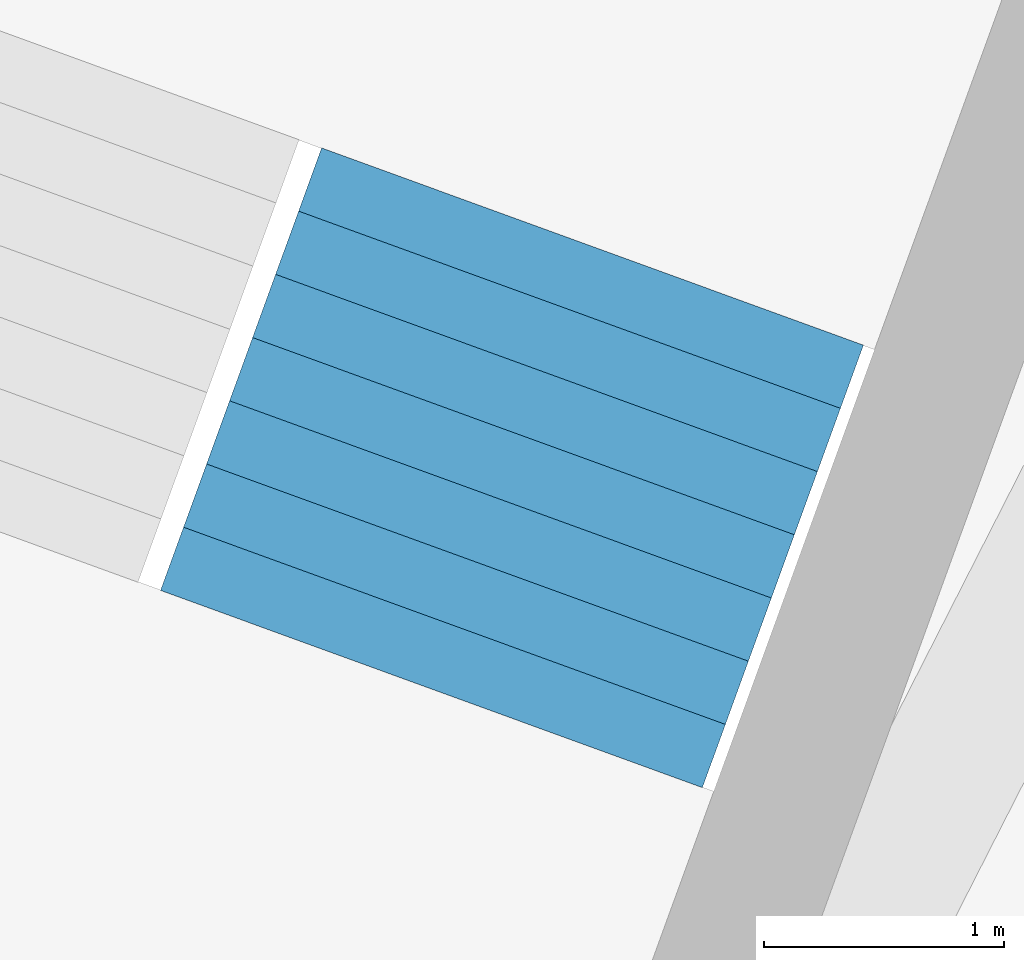
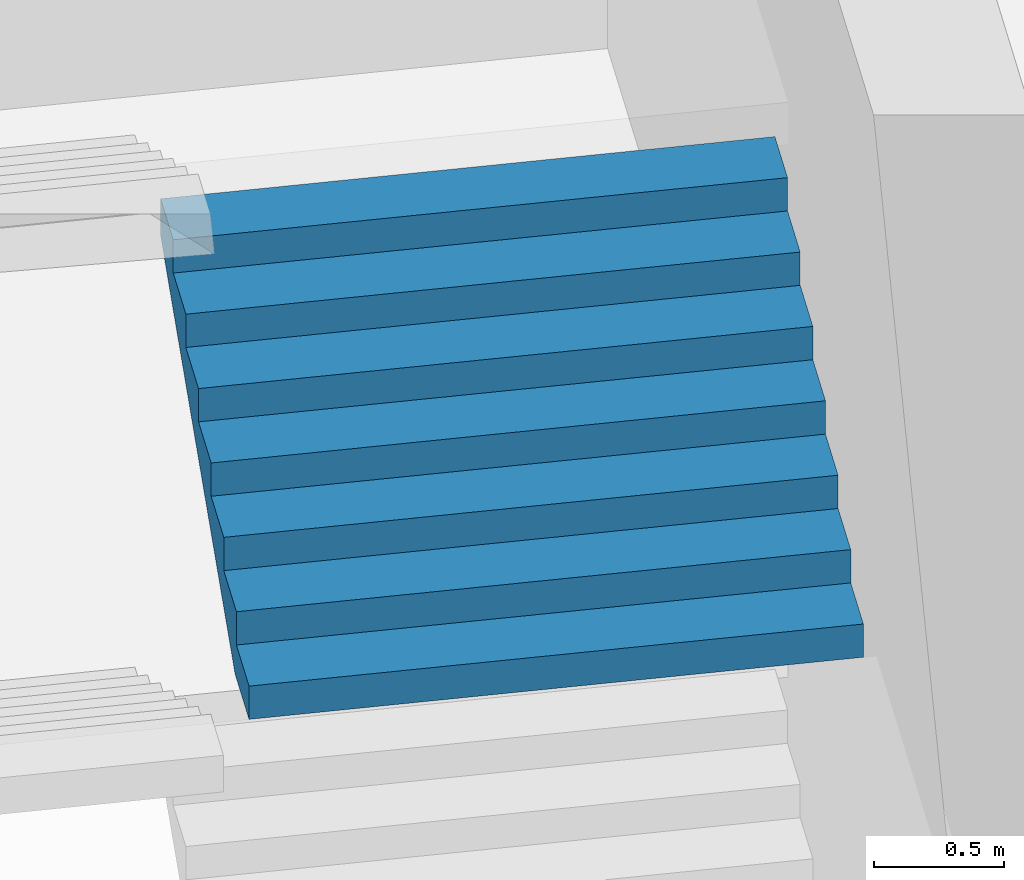
# One storey, part 48 of 73: 1 stair flight, 1 element without a shape of its own.
"""IFC4 building model written with IfcOpenShell, lengths in metres."""

from ifc_helpers import new_model, si_unit, direction, frame, origin, place, context, subcontext, project, spatial, triangles, material, type_object, element, aggregate, save


model = new_model("IFC4")

# Units and contexts
model_context = context("Model", 3, precision=1e-05, world=origin(), true_north=direction((0.0, 1.0)))
body_context = subcontext(model_context, "Body", "Model", "MODEL_VIEW")
ifc_project = project(units=[si_unit("LENGTHUNIT", "METRE"), si_unit("AREAUNIT", "SQUARE_METRE"), si_unit("VOLUMEUNIT", "CUBIC_METRE"), si_unit("PLANEANGLEUNIT", "RADIAN"), si_unit("MASSUNIT", "GRAM", prefix="KILO")], contexts=[model_context])

# Site, building, storey
site_placement = place(None, origin())
site = spatial("IfcSite", under=ifc_project, at=site_placement, CompositionType="ELEMENT")
building_placement = place(site_placement, origin())
building = spatial("IfcBuilding", under=site, at=building_placement, Name="Lantaw Convention Tower", CompositionType="ELEMENT")
storey_placement = place(building_placement, frame((0.0, 0.0, 22.0)))
storey = spatial("IfcBuildingStorey", under=building, at=storey_placement, Name="L03", CompositionType="ELEMENT", Elevation=22.0)

# Stair, stair flight
ifc_material = material(Name="Concrete C35/45", Category="concrete")
stair_type = type_object("IfcStairType", Name="Exit stair 2400 riser 156.25 in 4 flights", PredefinedType="HALF_TURN_STAIR", material=ifc_material)
stair_placement = place(storey_placement, origin())
stair = element("IfcStair", 1, at=stair_placement, inside=storey, type_object=stair_type, Name="Podium exit stair P5 L03", PredefinedType="HALF_TURN_STAIR")
stair_flight_type = type_object("IfcStairFlightType", Name="Stair flight 2400 riser 156.25", PredefinedType="STRAIGHT", material=ifc_material)
stair_flight_placement = place(storey_placement, frame((10.476318359375, 25.128662109375, 2.5), z_axis=(0.0, 0.0, 1.0), x_axis=(0.342020143326, 0.939692620786, 0.0)))
stair_flight = element("IfcStairFlight", 2, at=stair_flight_placement, type_object=stair_flight_type, Name="P5 flight 3", NumberOfRisers=8, NumberOfTreads=7, PredefinedType="STRAIGHT", RiserHeight=0.15625, TreadLength=0.28, context=body_context, shape_type="Tessellation", body=[
    triangles([(0.0, 1.199951171875, 0.0), (0.0, 1.199951171875, 0.15625), (0.28, 1.199951171875, 0.0), (0.28, 1.199951171875, 0.15625), (0.28, 1.199951171875, 0.3125), (0.3076200632058044, 1.199951171875, 0.0), (0.3076200632058044, 1.199951171875, 0.3125), (0.56, 1.199951171875, 0.14083701830033238), (0.56, 1.199951171875, 0.3125), (0.56, 1.199951171875, 0.46875), (0.8400000000000001, 1.199951171875, 0.29708701830033235), (0.8400000000000001, 1.199951171875, 0.46875), (0.8400000000000001, 1.199951171875, 0.625), (1.12, 1.199951171875, 0.45333701830033235), (1.12, 1.199951171875, 0.625), (1.12, 1.199951171875, 0.78125), (1.4000000000000001, 1.199951171875, 0.6095870183003324), (1.4000000000000001, 1.199951171875, 0.78125), (1.4000000000000001, 1.199951171875, 0.9375), (1.6800000000000002, 1.199951171875, 0.7658370183003324), (1.6800000000000002, 1.199951171875, 0.9375), (1.6800000000000002, 1.199951171875, 1.09375), (1.9600000000000002, 1.199951171875, 0.9220870183003324), (1.9600000000000002, 1.199951171875, 1.09375), (0.0, -1.199951171875, 0.0), (0.0, -1.199951171875, 0.15625), (0.28, -1.199951171875, 0.0), (0.28, -1.199951171875, 0.15625), (0.28, -1.199951171875, 0.3125), (0.3076200632058044, -1.199951171875, 0.0), (0.3076200632058044, -1.199951171875, 0.3125), (0.56, -1.199951171875, 0.14083701830033238), (0.56, -1.199951171875, 0.3125), (0.56, -1.199951171875, 0.46875), (0.8400000000000001, -1.199951171875, 0.29708701830033235), (0.8400000000000001, -1.199951171875, 0.46875), (0.8400000000000001, -1.199951171875, 0.625), (1.12, -1.199951171875, 0.45333701830033235), (1.12, -1.199951171875, 0.625), (1.12, -1.199951171875, 0.78125), (1.4000000000000001, -1.199951171875, 0.6095870183003324), (1.4000000000000001, -1.199951171875, 0.78125), (1.4000000000000001, -1.199951171875, 0.9375), (1.6800000000000002, -1.199951171875, 0.7658370183003324), (1.6800000000000002, -1.199951171875, 0.9375), (1.6800000000000002, -1.199951171875, 1.09375), (1.9600000000000002, -1.199951171875, 0.9220870183003324), (1.9600000000000002, -1.199951171875, 1.09375), (0.0, 0.239990234375, 0.15625), (0.0, 0.239990234375, 0.0), (0.0, 0.1919921875, 0.15625), (0.0, 0.1919921875, 0.0), (0.0, 0.143994140625, 0.15625), (0.0, 0.143994140625, 0.0), (0.0, 0.09599609375, 0.15625), (0.0, 0.09599609375, 0.0), (0.0, 0.047998046875, 0.15625), (0.0, 0.047998046875, 0.0), (0.0, 0.0, 0.15625), (0.0, 0.0, 0.0), (0.0, -0.047998046875, 0.15625), (0.0, -0.047998046875, 0.0), (0.0, -0.09599609375, 0.15625), (0.0, -0.09599609375, 0.0), (0.0, -0.143994140625, 0.15625), (0.0, -0.143994140625, 0.0), (0.0, -0.1919921875, 0.15625), (0.0, -0.1919921875, 0.0), (0.0, -0.239990234375, 0.15625), (0.0, -0.239990234375, 0.0), (0.28, 0.239990234375, 0.3125), (0.28, 0.239990234375, 0.15625), (0.28, 0.1919921875, 0.3125), (0.28, 0.1919921875, 0.15625), (0.28, 0.143994140625, 0.3125), (0.28, 0.143994140625, 0.15625), (0.28, 0.09599609375, 0.3125), (0.28, 0.09599609375, 0.15625), (0.28, 0.047998046875, 0.3125), (0.28, 0.047998046875, 0.15625), (0.28, 0.0, 0.3125), (0.28, 0.0, 0.15625), (0.28, -0.047998046875, 0.3125), (0.28, -0.047998046875, 0.15625), (0.28, -0.09599609375, 0.3125), (0.28, -0.09599609375, 0.15625), (0.28, -0.143994140625, 0.3125), (0.28, -0.143994140625, 0.15625), (0.28, -0.1919921875, 0.3125), (0.28, -0.1919921875, 0.15625), (0.28, -0.239990234375, 0.3125), (0.28, -0.239990234375, 0.15625), (0.56, 0.239990234375, 0.46875), (0.56, 0.239990234375, 0.3125), (0.56, 0.1919921875, 0.46875), (0.56, 0.1919921875, 0.3125), (0.56, 0.143994140625, 0.46875), (0.56, 0.143994140625, 0.3125), (0.56, 0.09599609375, 0.46875), (0.56, 0.09599609375, 0.3125), (0.56, 0.047998046875, 0.46875), (0.56, 0.047998046875, 0.3125), (0.56, 0.0, 0.46875), (0.56, 0.0, 0.3125), (0.56, -0.047998046875, 0.46875), (0.56, -0.047998046875, 0.3125), (0.56, -0.09599609375, 0.46875), (0.56, -0.09599609375, 0.3125), (0.56, -0.143994140625, 0.46875), (0.56, -0.143994140625, 0.3125), (0.56, -0.1919921875, 0.46875), (0.56, -0.1919921875, 0.3125), (0.56, -0.239990234375, 0.46875), (0.56, -0.239990234375, 0.3125), (0.8400000000000001, 0.239990234375, 0.625), (0.8400000000000001, 0.239990234375, 0.46875), (0.8400000000000001, 0.1919921875, 0.625), (0.8400000000000001, 0.1919921875, 0.46875), (0.8400000000000001, 0.143994140625, 0.625), (0.8400000000000001, 0.143994140625, 0.46875), (0.8400000000000001, 0.09599609375, 0.625), (0.8400000000000001, 0.09599609375, 0.46875), (0.8400000000000001, 0.047998046875, 0.625), (0.8400000000000001, 0.047998046875, 0.46875), (0.8400000000000001, 0.0, 0.625), (0.8400000000000001, 0.0, 0.46875), (0.8400000000000001, -0.047998046875, 0.625), (0.8400000000000001, -0.047998046875, 0.46875), (0.8400000000000001, -0.09599609375, 0.625), (0.8400000000000001, -0.09599609375, 0.46875), (0.8400000000000001, -0.143994140625, 0.625), (0.8400000000000001, -0.143994140625, 0.46875), (0.8400000000000001, -0.1919921875, 0.625), (0.8400000000000001, -0.1919921875, 0.46875), (0.8400000000000001, -0.239990234375, 0.625), (0.8400000000000001, -0.239990234375, 0.46875), (1.12, 0.239990234375, 0.78125), (1.12, 0.239990234375, 0.625), (1.12, 0.1919921875, 0.78125), (1.12, 0.1919921875, 0.625), (1.12, 0.143994140625, 0.78125), (1.12, 0.143994140625, 0.625), (1.12, 0.09599609375, 0.78125), (1.12, 0.09599609375, 0.625), (1.12, 0.047998046875, 0.78125), (1.12, 0.047998046875, 0.625), (1.12, 0.0, 0.78125), (1.12, 0.0, 0.625), (1.12, -0.047998046875, 0.78125), (1.12, -0.047998046875, 0.625), (1.12, -0.09599609375, 0.78125), (1.12, -0.09599609375, 0.625), (1.12, -0.143994140625, 0.78125), (1.12, -0.143994140625, 0.625), (1.12, -0.1919921875, 0.78125), (1.12, -0.1919921875, 0.625), (1.12, -0.239990234375, 0.78125), (1.12, -0.239990234375, 0.625), (1.4000000000000001, 0.239990234375, 0.9375), (1.4000000000000001, 0.239990234375, 0.78125), (1.4000000000000001, 0.1919921875, 0.9375), (1.4000000000000001, 0.1919921875, 0.78125), (1.4000000000000001, 0.143994140625, 0.9375), (1.4000000000000001, 0.143994140625, 0.78125), (1.4000000000000001, 0.09599609375, 0.9375), (1.4000000000000001, 0.09599609375, 0.78125), (1.4000000000000001, 0.047998046875, 0.9375), (1.4000000000000001, 0.047998046875, 0.78125), (1.4000000000000001, 0.0, 0.9375), (1.4000000000000001, 0.0, 0.78125), (1.4000000000000001, -0.047998046875, 0.9375), (1.4000000000000001, -0.047998046875, 0.78125), (1.4000000000000001, -0.09599609375, 0.9375), (1.4000000000000001, -0.09599609375, 0.78125), (1.4000000000000001, -0.143994140625, 0.9375), (1.4000000000000001, -0.143994140625, 0.78125), (1.4000000000000001, -0.1919921875, 0.9375), (1.4000000000000001, -0.1919921875, 0.78125), (1.4000000000000001, -0.239990234375, 0.9375), (1.4000000000000001, -0.239990234375, 0.78125), (1.6800000000000002, 0.239990234375, 1.09375), (1.6800000000000002, 0.239990234375, 0.9375), (1.6800000000000002, 0.1919921875, 1.09375), (1.6800000000000002, 0.1919921875, 0.9375), (1.6800000000000002, 0.143994140625, 1.09375), (1.6800000000000002, 0.143994140625, 0.9375), (1.6800000000000002, 0.09599609375, 1.09375), (1.6800000000000002, 0.09599609375, 0.9375), (1.6800000000000002, 0.047998046875, 1.09375), (1.6800000000000002, 0.047998046875, 0.9375), (1.6800000000000002, 0.0, 1.09375), (1.6800000000000002, 0.0, 0.9375), (1.6800000000000002, -0.047998046875, 1.09375), (1.6800000000000002, -0.047998046875, 0.9375), (1.6800000000000002, -0.09599609375, 1.09375), (1.6800000000000002, -0.09599609375, 0.9375), (1.6800000000000002, -0.143994140625, 1.09375), (1.6800000000000002, -0.143994140625, 0.9375), (1.6800000000000002, -0.1919921875, 1.09375), (1.6800000000000002, -0.1919921875, 0.9375), (1.6800000000000002, -0.239990234375, 1.09375), (1.6800000000000002, -0.239990234375, 0.9375), (0.3076200632058044, 0.239990234375, 0.3125), (0.3076200632058044, 0.1919921875, 0.3125), (0.3076200632058044, 0.143994140625, 0.3125), (0.3076200632058044, 0.09599609375, 0.3125), (0.3076200632058044, 0.047998046875, 0.3125), (0.3076200632058044, 0.0, 0.3125), (0.3076200632058044, -0.047998046875, 0.3125), (0.3076200632058044, -0.09599609375, 0.3125), (0.3076200632058044, -0.143994140625, 0.3125), (0.3076200632058044, -0.1919921875, 0.3125), (0.3076200632058044, -0.239990234375, 0.3125), (1.9600000000000002, 0.239990234375, 1.09375), (1.9600000000000002, 0.1919921875, 1.09375), (1.9600000000000002, 0.143994140625, 1.09375), (1.9600000000000002, 0.09599609375, 1.09375), (1.9600000000000002, 0.047998046875, 1.09375), (1.9600000000000002, 0.0, 1.09375), (1.9600000000000002, -0.047998046875, 1.09375), (1.9600000000000002, -0.09599609375, 1.09375), (1.9600000000000002, -0.143994140625, 1.09375), (1.9600000000000002, -0.1919921875, 1.09375), (1.9600000000000002, -0.239990234375, 1.09375), (1.9600000000000002, 0.239990234375, 0.9220870183003324), (1.9600000000000002, 0.1919921875, 0.9220870183003324), (1.9600000000000002, 0.143994140625, 0.9220870183003324), (1.9600000000000002, 0.09599609375, 0.9220870183003324), (1.9600000000000002, 0.047998046875, 0.9220870183003324), (1.9600000000000002, 0.0, 0.9220870183003324), (1.9600000000000002, -0.047998046875, 0.9220870183003324), (1.9600000000000002, -0.09599609375, 0.9220870183003324), (1.9600000000000002, -0.143994140625, 0.9220870183003324), (1.9600000000000002, -0.1919921875, 0.9220870183003324), (1.9600000000000002, -0.239990234375, 0.9220870183003324), (1.6800000000000002, 0.239990234375, 0.7658370183003324), (1.6800000000000002, 0.1919921875, 0.7658370183003324), (1.6800000000000002, 0.143994140625, 0.7658370183003324), (1.6800000000000002, 0.09599609375, 0.7658370183003324), (1.6800000000000002, 0.047998046875, 0.7658370183003324), (1.6800000000000002, 0.0, 0.7658370183003324), (1.6800000000000002, -0.047998046875, 0.7658370183003324), (1.6800000000000002, -0.09599609375, 0.7658370183003324), (1.6800000000000002, -0.143994140625, 0.7658370183003324), (1.6800000000000002, -0.1919921875, 0.7658370183003324), (1.6800000000000002, -0.239990234375, 0.7658370183003324), (1.4000000000000001, 0.239990234375, 0.6095870183003324), (1.4000000000000001, 0.1919921875, 0.6095870183003324), (1.4000000000000001, 0.143994140625, 0.6095870183003324), (1.4000000000000001, 0.09599609375, 0.6095870183003324), (1.4000000000000001, 0.047998046875, 0.6095870183003324), (1.4000000000000001, 0.0, 0.6095870183003324), (1.4000000000000001, -0.047998046875, 0.6095870183003324), (1.4000000000000001, -0.09599609375, 0.6095870183003324), (1.4000000000000001, -0.143994140625, 0.6095870183003324), (1.4000000000000001, -0.1919921875, 0.6095870183003324), (1.4000000000000001, -0.239990234375, 0.6095870183003324), (1.12, 0.239990234375, 0.45333701830033235), (1.12, 0.1919921875, 0.45333701830033235), (1.12, 0.143994140625, 0.45333701830033235), (1.12, 0.09599609375, 0.45333701830033235), (1.12, 0.047998046875, 0.45333701830033235), (1.12, 0.0, 0.45333701830033235), (1.12, -0.047998046875, 0.45333701830033235), (1.12, -0.09599609375, 0.45333701830033235), (1.12, -0.143994140625, 0.45333701830033235), (1.12, -0.1919921875, 0.45333701830033235), (1.12, -0.239990234375, 0.45333701830033235), (0.8400000000000001, 0.239990234375, 0.29708701830033235), (0.8400000000000001, 0.1919921875, 0.29708701830033235), (0.8400000000000001, 0.143994140625, 0.29708701830033235), (0.8400000000000001, 0.09599609375, 0.29708701830033235), (0.8400000000000001, 0.047998046875, 0.29708701830033235), (0.8400000000000001, 0.0, 0.29708701830033235), (0.8400000000000001, -0.047998046875, 0.29708701830033235), (0.8400000000000001, -0.09599609375, 0.29708701830033235), (0.8400000000000001, -0.143994140625, 0.29708701830033235), (0.8400000000000001, -0.1919921875, 0.29708701830033235), (0.8400000000000001, -0.239990234375, 0.29708701830033235), (0.56, 0.239990234375, 0.14083701830033238), (0.56, 0.1919921875, 0.14083701830033238), (0.56, 0.143994140625, 0.14083701830033238), (0.56, 0.09599609375, 0.14083701830033238), (0.56, 0.047998046875, 0.14083701830033238), (0.56, 0.0, 0.14083701830033238), (0.56, -0.047998046875, 0.14083701830033238), (0.56, -0.09599609375, 0.14083701830033238), (0.56, -0.143994140625, 0.14083701830033238), (0.56, -0.1919921875, 0.14083701830033238), (0.56, -0.239990234375, 0.14083701830033238), (0.3076200632058044, 0.239990234375, 0.0), (0.3076200632058044, 0.1919921875, 0.0), (0.3076200632058044, 0.143994140625, 0.0), (0.3076200632058044, 0.09599609375, 0.0), (0.3076200632058044, 0.047998046875, 0.0), (0.3076200632058044, 0.0, 0.0), (0.3076200632058044, -0.047998046875, 0.0), (0.3076200632058044, -0.09599609375, 0.0), (0.3076200632058044, -0.143994140625, 0.0), (0.3076200632058044, -0.1919921875, 0.0), (0.3076200632058044, -0.239990234375, 0.0), (0.28, 0.239990234375, 0.0), (0.28, 0.1919921875, 0.0), (0.28, 0.143994140625, 0.0), (0.28, 0.09599609375, 0.0), (0.28, 0.047998046875, 0.0), (0.28, 0.0, 0.0), (0.28, -0.047998046875, 0.0), (0.28, -0.09599609375, 0.0), (0.28, -0.143994140625, 0.0), (0.28, -0.1919921875, 0.0), (0.28, -0.239990234375, 0.0)], [[1, 4, 3], [1, 2, 4], [3, 4, 6], [4, 7, 6], [4, 5, 7], [6, 9, 8], [6, 7, 9], [8, 9, 11], [9, 12, 11], [9, 10, 12], [11, 12, 14], [12, 15, 14], [12, 13, 15], [14, 15, 17], [15, 18, 17], [15, 16, 18], [17, 18, 20], [18, 21, 20], [18, 19, 21], [20, 21, 23], [21, 24, 23], [21, 22, 24], [25, 27, 28], [25, 28, 26], [27, 30, 28], [28, 30, 31], [28, 31, 29], [30, 32, 33], [30, 33, 31], [32, 35, 33], [33, 35, 36], [33, 36, 34], [35, 38, 36], [36, 38, 39], [36, 39, 37], [38, 41, 39], [39, 41, 42], [39, 42, 40], [41, 44, 42], [42, 44, 45], [42, 45, 43], [44, 47, 45], [45, 47, 48], [45, 48, 46], [1, 49, 2], [1, 50, 49], [50, 51, 49], [50, 52, 51], [52, 53, 51], [52, 54, 53], [54, 55, 53], [54, 56, 55], [56, 57, 55], [56, 58, 57], [58, 59, 57], [58, 60, 59], [60, 61, 59], [60, 62, 61], [62, 63, 61], [62, 64, 63], [64, 65, 63], [64, 66, 65], [66, 67, 65], [66, 68, 67], [68, 69, 67], [68, 70, 69], [70, 26, 69], [70, 25, 26], [4, 71, 5], [4, 72, 71], [72, 73, 71], [72, 74, 73], [74, 75, 73], [74, 76, 75], [76, 77, 75], [76, 78, 77], [78, 79, 77], [78, 80, 79], [80, 81, 79], [80, 82, 81], [82, 83, 81], [82, 84, 83], [84, 85, 83], [84, 86, 85], [86, 87, 85], [86, 88, 87], [88, 89, 87], [88, 90, 89], [90, 91, 89], [90, 92, 91], [92, 29, 91], [92, 28, 29], [9, 93, 10], [9, 94, 93], [94, 95, 93], [94, 96, 95], [96, 97, 95], [96, 98, 97], [98, 99, 97], [98, 100, 99], [100, 101, 99], [100, 102, 101], [102, 103, 101], [102, 104, 103], [104, 105, 103], [104, 106, 105], [106, 107, 105], [106, 108, 107], [108, 109, 107], [108, 110, 109], [110, 111, 109], [110, 112, 111], [112, 113, 111], [112, 114, 113], [114, 34, 113], [114, 33, 34], [12, 115, 13], [12, 116, 115], [116, 117, 115], [116, 118, 117], [118, 119, 117], [118, 120, 119], [120, 121, 119], [120, 122, 121], [122, 123, 121], [122, 124, 123], [124, 125, 123], [124, 126, 125], [126, 127, 125], [126, 128, 127], [128, 129, 127], [128, 130, 129], [130, 131, 129], [130, 132, 131], [132, 133, 131], [132, 134, 133], [134, 135, 133], [134, 136, 135], [136, 37, 135], [136, 36, 37], [15, 137, 16], [15, 138, 137], [138, 139, 137], [138, 140, 139], [140, 141, 139], [140, 142, 141], [142, 143, 141], [142, 144, 143], [144, 145, 143], [144, 146, 145], [146, 147, 145], [146, 148, 147], [148, 149, 147], [148, 150, 149], [150, 151, 149], [150, 152, 151], [152, 153, 151], [152, 154, 153], [154, 155, 153], [154, 156, 155], [156, 157, 155], [156, 158, 157], [158, 40, 157], [158, 39, 40], [18, 159, 19], [18, 160, 159], [160, 161, 159], [160, 162, 161], [162, 163, 161], [162, 164, 163], [164, 165, 163], [164, 166, 165], [166, 167, 165], [166, 168, 167], [168, 169, 167], [168, 170, 169], [170, 171, 169], [170, 172, 171], [172, 173, 171], [172, 174, 173], [174, 175, 173], [174, 176, 175], [176, 177, 175], [176, 178, 177], [178, 179, 177], [178, 180, 179], [180, 43, 179], [180, 42, 43], [21, 181, 22], [21, 182, 181], [182, 183, 181], [182, 184, 183], [184, 185, 183], [184, 186, 185], [186, 187, 185], [186, 188, 187], [188, 189, 187], [188, 190, 189], [190, 191, 189], [190, 192, 191], [192, 193, 191], [192, 194, 193], [194, 195, 193], [194, 196, 195], [196, 197, 195], [196, 198, 197], [198, 199, 197], [198, 200, 199], [200, 201, 199], [200, 202, 201], [202, 46, 201], [202, 45, 46], [2, 72, 4], [2, 49, 72], [49, 74, 72], [49, 51, 74], [51, 76, 74], [51, 53, 76], [53, 78, 76], [53, 55, 78], [55, 80, 78], [55, 57, 80], [57, 82, 80], [57, 59, 82], [59, 84, 82], [59, 61, 84], [61, 86, 84], [61, 63, 86], [63, 88, 86], [63, 65, 88], [65, 90, 88], [65, 67, 90], [67, 92, 90], [67, 69, 92], [69, 28, 92], [69, 26, 28], [5, 203, 7], [5, 71, 203], [71, 204, 203], [71, 73, 204], [73, 205, 204], [73, 75, 205], [75, 206, 205], [75, 77, 206], [77, 207, 206], [77, 79, 207], [79, 208, 207], [79, 81, 208], [81, 209, 208], [81, 83, 209], [83, 210, 209], [83, 85, 210], [85, 211, 210], [85, 87, 211], [87, 212, 211], [87, 89, 212], [89, 213, 212], [89, 91, 213], [91, 31, 213], [91, 29, 31], [7, 94, 9], [7, 203, 94], [203, 96, 94], [203, 204, 96], [204, 98, 96], [204, 205, 98], [205, 100, 98], [205, 206, 100], [206, 102, 100], [206, 207, 102], [207, 104, 102], [207, 208, 104], [208, 106, 104], [208, 209, 106], [209, 108, 106], [209, 210, 108], [210, 110, 108], [210, 211, 110], [211, 112, 110], [211, 212, 112], [212, 114, 112], [212, 213, 114], [213, 33, 114], [213, 31, 33], [10, 116, 12], [10, 93, 116], [93, 118, 116], [93, 95, 118], [95, 120, 118], [95, 97, 120], [97, 122, 120], [97, 99, 122], [99, 124, 122], [99, 101, 124], [101, 126, 124], [101, 103, 126], [103, 128, 126], [103, 105, 128], [105, 130, 128], [105, 107, 130], [107, 132, 130], [107, 109, 132], [109, 134, 132], [109, 111, 134], [111, 136, 134], [111, 113, 136], [113, 36, 136], [113, 34, 36], [13, 138, 15], [13, 115, 138], [115, 140, 138], [115, 117, 140], [117, 142, 140], [117, 119, 142], [119, 144, 142], [119, 121, 144], [121, 146, 144], [121, 123, 146], [123, 148, 146], [123, 125, 148], [125, 150, 148], [125, 127, 150], [127, 152, 150], [127, 129, 152], [129, 154, 152], [129, 131, 154], [131, 156, 154], [131, 133, 156], [133, 158, 156], [133, 135, 158], [135, 39, 158], [135, 37, 39], [16, 160, 18], [16, 137, 160], [137, 162, 160], [137, 139, 162], [139, 164, 162], [139, 141, 164], [141, 166, 164], [141, 143, 166], [143, 168, 166], [143, 145, 168], [145, 170, 168], [145, 147, 170], [147, 172, 170], [147, 149, 172], [149, 174, 172], [149, 151, 174], [151, 176, 174], [151, 153, 176], [153, 178, 176], [153, 155, 178], [155, 180, 178], [155, 157, 180], [157, 42, 180], [157, 40, 42], [19, 182, 21], [19, 159, 182], [159, 184, 182], [159, 161, 184], [161, 186, 184], [161, 163, 186], [163, 188, 186], [163, 165, 188], [165, 190, 188], [165, 167, 190], [167, 192, 190], [167, 169, 192], [169, 194, 192], [169, 171, 194], [171, 196, 194], [171, 173, 196], [173, 198, 196], [173, 175, 198], [175, 200, 198], [175, 177, 200], [177, 202, 200], [177, 179, 202], [179, 45, 202], [179, 43, 45], [22, 214, 24], [22, 181, 214], [181, 215, 214], [181, 183, 215], [183, 216, 215], [183, 185, 216], [185, 217, 216], [185, 187, 217], [187, 218, 217], [187, 189, 218], [189, 219, 218], [189, 191, 219], [191, 220, 219], [191, 193, 220], [193, 221, 220], [193, 195, 221], [195, 222, 221], [195, 197, 222], [197, 223, 222], [197, 199, 223], [199, 224, 223], [199, 201, 224], [201, 48, 224], [201, 46, 48], [24, 225, 23], [24, 214, 225], [214, 226, 225], [214, 215, 226], [215, 227, 226], [215, 216, 227], [216, 228, 227], [216, 217, 228], [217, 229, 228], [217, 218, 229], [218, 230, 229], [218, 219, 230], [219, 231, 230], [219, 220, 231], [220, 232, 231], [220, 221, 232], [221, 233, 232], [221, 222, 233], [222, 234, 233], [222, 223, 234], [223, 235, 234], [223, 224, 235], [224, 47, 235], [224, 48, 47], [23, 236, 20], [23, 225, 236], [225, 237, 236], [225, 226, 237], [226, 238, 237], [226, 227, 238], [227, 239, 238], [227, 228, 239], [228, 240, 239], [228, 229, 240], [229, 241, 240], [229, 230, 241], [230, 242, 241], [230, 231, 242], [231, 243, 242], [231, 232, 243], [232, 244, 243], [232, 233, 244], [233, 245, 244], [233, 234, 245], [234, 246, 245], [234, 235, 246], [235, 44, 246], [235, 47, 44], [20, 247, 17], [20, 236, 247], [236, 248, 247], [236, 237, 248], [237, 249, 248], [237, 238, 249], [238, 250, 249], [238, 239, 250], [239, 251, 250], [239, 240, 251], [240, 252, 251], [240, 241, 252], [241, 253, 252], [241, 242, 253], [242, 254, 253], [242, 243, 254], [243, 255, 254], [243, 244, 255], [244, 256, 255], [244, 245, 256], [245, 257, 256], [245, 246, 257], [246, 41, 257], [246, 44, 41], [17, 258, 14], [17, 247, 258], [247, 259, 258], [247, 248, 259], [248, 260, 259], [248, 249, 260], [249, 261, 260], [249, 250, 261], [250, 262, 261], [250, 251, 262], [251, 263, 262], [251, 252, 263], [252, 264, 263], [252, 253, 264], [253, 265, 264], [253, 254, 265], [254, 266, 265], [254, 255, 266], [255, 267, 266], [255, 256, 267], [256, 268, 267], [256, 257, 268], [257, 38, 268], [257, 41, 38], [14, 269, 11], [14, 258, 269], [258, 270, 269], [258, 259, 270], [259, 271, 270], [259, 260, 271], [260, 272, 271], [260, 261, 272], [261, 273, 272], [261, 262, 273], [262, 274, 273], [262, 263, 274], [263, 275, 274], [263, 264, 275], [264, 276, 275], [264, 265, 276], [265, 277, 276], [265, 266, 277], [266, 278, 277], [266, 267, 278], [267, 279, 278], [267, 268, 279], [268, 35, 279], [268, 38, 35], [11, 280, 8], [11, 269, 280], [269, 281, 280], [269, 270, 281], [270, 282, 281], [270, 271, 282], [271, 283, 282], [271, 272, 283], [272, 284, 283], [272, 273, 284], [273, 285, 284], [273, 274, 285], [274, 286, 285], [274, 275, 286], [275, 287, 286], [275, 276, 287], [276, 288, 287], [276, 277, 288], [277, 289, 288], [277, 278, 289], [278, 290, 289], [278, 279, 290], [279, 32, 290], [279, 35, 32], [8, 291, 6], [8, 280, 291], [280, 292, 291], [280, 281, 292], [281, 293, 292], [281, 282, 293], [282, 294, 293], [282, 283, 294], [283, 295, 294], [283, 284, 295], [284, 296, 295], [284, 285, 296], [285, 297, 296], [285, 286, 297], [286, 298, 297], [286, 287, 298], [287, 299, 298], [287, 288, 299], [288, 300, 299], [288, 289, 300], [289, 301, 300], [289, 290, 301], [290, 30, 301], [290, 32, 30], [6, 302, 3], [6, 291, 302], [291, 303, 302], [291, 292, 303], [292, 304, 303], [292, 293, 304], [293, 305, 304], [293, 294, 305], [294, 306, 305], [294, 295, 306], [295, 307, 306], [295, 296, 307], [296, 308, 307], [296, 297, 308], [297, 309, 308], [297, 298, 309], [298, 310, 309], [298, 299, 310], [299, 311, 310], [299, 300, 311], [300, 312, 311], [300, 301, 312], [301, 27, 312], [301, 30, 27], [3, 50, 1], [3, 302, 50], [302, 52, 50], [302, 303, 52], [303, 54, 52], [303, 304, 54], [304, 56, 54], [304, 305, 56], [305, 58, 56], [305, 306, 58], [306, 60, 58], [306, 307, 60], [307, 62, 60], [307, 308, 62], [308, 64, 62], [308, 309, 64], [309, 66, 64], [309, 310, 66], [310, 68, 66], [310, 311, 68], [311, 70, 68], [311, 312, 70], [312, 25, 70], [312, 27, 25]], closed=True),
])
aggregate(stair, [stair_flight])

save(model, "model.ifc")
